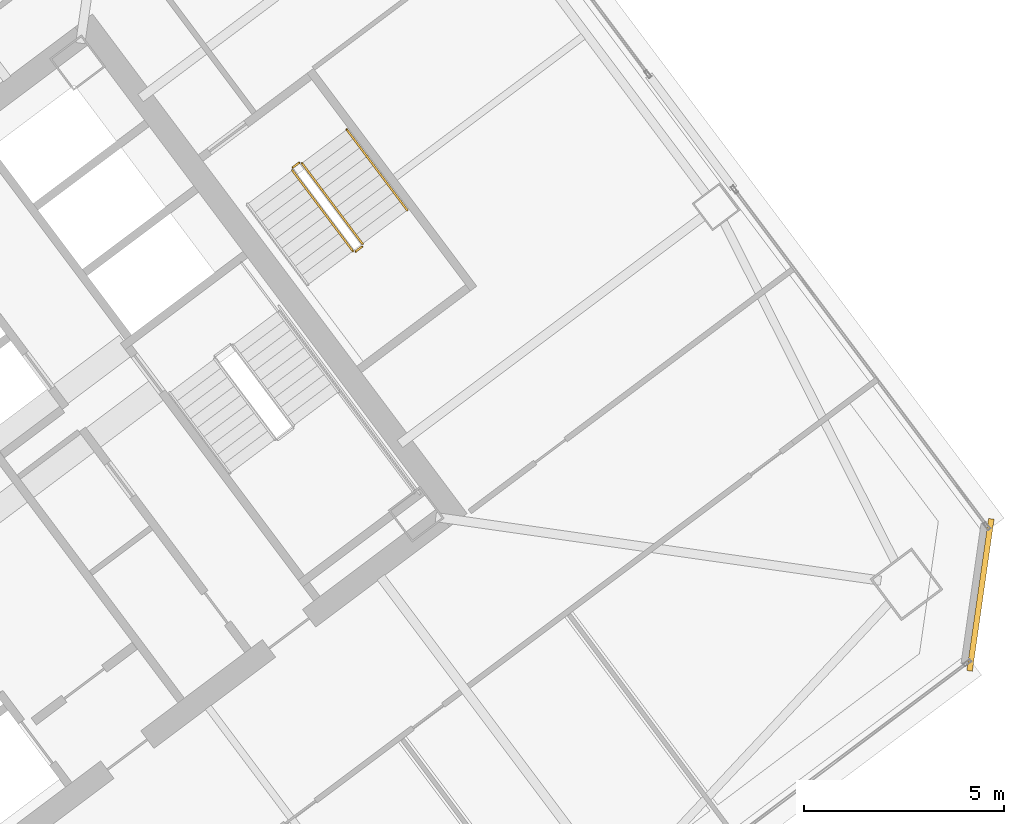
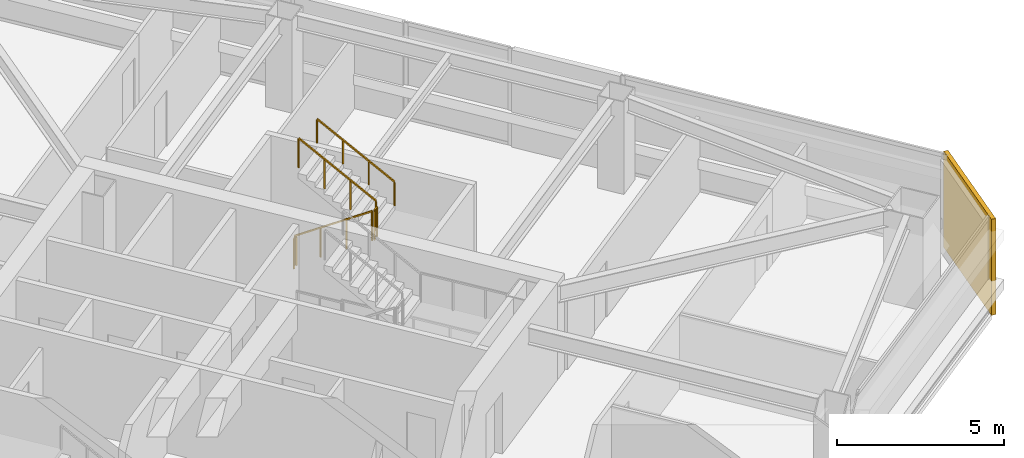
# One storey, part 41 of 42: 5 railings, 1 covering.
"""IFC4 building model written with IfcOpenShell, lengths in metres."""

from ifc_helpers import new_model, si_unit, direction, frame, origin, origin_2d, place, context, subcontext, project, spatial, rectangle, extrude, material, layer, layer_set, type_object, element, save


model = new_model("IFC4")

# Units and contexts
model_context = context("Model", 3, precision=1e-05, world=origin(), true_north=direction((0.0, 1.0)))
body_context = subcontext(model_context, "Body", "Model", "MODEL_VIEW")
ifc_project = project(units=[si_unit("LENGTHUNIT", "METRE"), si_unit("AREAUNIT", "SQUARE_METRE"), si_unit("VOLUMEUNIT", "CUBIC_METRE"), si_unit("PLANEANGLEUNIT", "RADIAN"), si_unit("MASSUNIT", "GRAM", prefix="KILO")], contexts=[model_context])

# Site, building, storey
site_placement = place(None, origin())
site = spatial("IfcSite", under=ifc_project, at=site_placement, CompositionType="ELEMENT")
building_placement = place(site_placement, origin())
building = spatial("IfcBuilding", under=site, at=building_placement, Name="Tashvorn Skyway Center", CompositionType="ELEMENT")
storey_placement = place(building_placement, frame((0.0, 0.0, 121.5)))
storey = spatial("IfcBuildingStorey", under=building, at=storey_placement, Name="L32", CompositionType="ELEMENT", Elevation=121.5)

# Covering
ifc_material_1 = material(Name="Precast concrete C40/50", Category="concrete")
ifc_layer = layer(ifc_material_1, 0.35009765625)
ifc_layer_set = layer_set([ifc_layer], Name="Precast concrete C40/50")
covering_type = type_object("IfcCoveringType", Name="COV-STONE-TRIM", PredefinedType="CLADDING", material=ifc_layer_set)
covering_placement = place(storey_placement, frame((137.968017578125, 28.575927734375, 0.02001953125), z_axis=(0.0, 0.0, 1.0), x_axis=(0.141421350118, 0.989949494535, 0.0)))
element("IfcCovering", 1, at=covering_placement, inside=storey, type_object=covering_type, Name="Tower 2 L32 SE Mojave Limestone Corner Quoin", PredefinedType="CLADDING", context=body_context, shape_type="SweptSolid", body=[
    extrude(rectangle(XDim=3.8369140625, YDim=0.139892578125, at=origin_2d()), origin(), (0.0, 0.0, 1.0), 3.510009765625),
])

# Railings
ifc_material_2 = material(Name="Brushed stainless steel 316", Category="steel")
railing_type_1 = type_object("IfcRailingType", Name="RAIL-HAND-920", PredefinedType="HANDRAIL", material=ifc_material_2)
railing_1_placement = place(storey_placement, frame((123.64794921875, 38.18603515625, 1.952392578125)))
element("IfcRailing", 2, at=railing_1_placement, inside=storey, type_object=railing_type_1, Name="L32 ST-T2-3 stair handrail 2", PredefinedType="HANDRAIL", context=body_context, shape_type="SweptSolid", body=[
    extrude(rectangle(XDim=0.048095703125, YDim=0.048095703125, at=origin_2d()), frame((0.0, 0.0, 0.8759765625), z_axis=(-0.50674661542, 0.675634878657, 0.535467439255), x_axis=(-0.79998837352, -0.60001550166, 0.0)), (0.0, 0.0, 1.0), 2.983642578125),
    extrude(rectangle(XDim=0.0419921875, YDim=0.0419921875, at=origin_2d()), origin(), (0.0, 0.0, 1.0), 0.851806640625),
    extrude(rectangle(XDim=0.0419921875, YDim=0.0419921875, at=origin_2d()), frame((-0.50390625, 0.671875, 0.532470703125)), (0.0, 0.0, 1.0), 0.851806640625),
    extrude(rectangle(XDim=0.0419921875, YDim=0.0419921875, at=origin_2d()), frame((-1.008056640625, 1.343994140625, 1.065185546875)), (0.0, 0.0, 1.0), 0.851806640625),
    extrude(rectangle(XDim=0.0419921875, YDim=0.0419921875, at=origin_2d()), frame((-1.511962890625, 2.015869140625, 1.59765625)), (0.0, 0.0, 1.0), 0.851806640625),
])
ifc_material_3 = material(Name="Painted galvanized steel S355", Category="steel")
railing_type_2 = type_object("IfcRailingType", Name="RAIL-STGUARD-1100", PredefinedType="GUARDRAIL", material=ifc_material_3)
railing_2_placement = place(storey_placement, frame((120.77587890625, 39.181884765625, 0.177490234375)))
element("IfcRailing", 3, at=railing_2_placement, inside=storey, type_object=railing_type_2, Name="L32 ST-T2-3 stair guard 1", PredefinedType="GUARDRAIL", context=body_context, shape_type="SweptSolid", body=[
    extrude(rectangle(XDim=0.048095703125, YDim=0.048095703125, at=origin_2d()), frame((0.0, 0.0, 1.076171875), z_axis=(0.506829628838, -0.67563646195, 0.535386868177), x_axis=(0.799941867976, 0.600077501544, 0.0)), (0.0, 0.0, 1.0), 2.983642578125),
    extrude(rectangle(XDim=0.0419921875, YDim=0.0419921875, at=origin_2d()), origin(), (0.0, 0.0, 1.0), 1.052001953125),
    extrude(rectangle(XDim=0.0419921875, YDim=0.0419921875, at=origin_2d()), frame((0.504150390625, -0.671875, 0.532470703125)), (0.0, 0.0, 1.0), 1.052001953125),
    extrude(rectangle(XDim=0.0419921875, YDim=0.0419921875, at=origin_2d()), frame((1.008056640625, -1.343994140625, 1.06494140625)), (0.0, 0.0, 1.0), 1.052001953125),
    extrude(rectangle(XDim=0.0419921875, YDim=0.0419921875, at=origin_2d()), frame((1.51220703125, -2.015869140625, 1.597412109375)), (0.0, 0.0, 1.0), 1.052001953125),
])
railing_3_placement = place(storey_placement, frame((122.35791015625, 37.156005859375, 1.77490234375)))
element("IfcRailing", 4, at=railing_3_placement, inside=storey, type_object=railing_type_2, Name="L32 ST-T2-3 stair guard 2", PredefinedType="GUARDRAIL", context=body_context, shape_type="SweptSolid", body=[
    extrude(rectangle(XDim=0.048095703125, YDim=0.048095703125, at=origin_2d()), frame((0.0, 0.0, 1.076171875), z_axis=(0.800585412921, 0.599218655098, 0.0), x_axis=(-0.599218655098, 0.800585412921, 0.0)), (0.0, 0.0, 1.0), 0.199951171875),
    extrude(rectangle(XDim=0.0419921875, YDim=0.0419921875, at=origin_2d()), origin(), (0.0, 0.0, 1.0), 1.052001953125),
    extrude(rectangle(XDim=0.0419921875, YDim=0.0419921875, at=origin_2d()), frame((0.16015625, 0.119873046875, 0.0)), (0.0, 0.0, 1.0), 1.052001953125),
])
railing_4_placement = place(storey_placement, frame((122.528076171875, 37.345947265625, 1.952392578125)))
element("IfcRailing", 5, at=railing_4_placement, inside=storey, type_object=railing_type_2, Name="L32 ST-T2-3 stair guard 3", PredefinedType="GUARDRAIL", context=body_context, shape_type="SweptSolid", body=[
    extrude(rectangle(XDim=0.048095703125, YDim=0.048095703125, at=origin_2d()), frame((0.0, 0.0, 1.076171875), z_axis=(-0.506718600913, 0.675679348675, 0.535437836974), x_axis=(-0.800023250257, -0.599968998406, 0.0)), (0.0, 0.0, 1.0), 2.98388671875),
    extrude(rectangle(XDim=0.0419921875, YDim=0.0419921875, at=origin_2d()), origin(), (0.0, 0.0, 1.0), 1.052001953125),
    extrude(rectangle(XDim=0.0419921875, YDim=0.0419921875, at=origin_2d()), frame((-0.50390625, 0.672119140625, 0.532470703125)), (0.0, 0.0, 1.0), 1.052001953125),
    extrude(rectangle(XDim=0.0419921875, YDim=0.0419921875, at=origin_2d()), frame((-1.008056640625, 1.343994140625, 1.065185546875)), (0.0, 0.0, 1.0), 1.052001953125),
    extrude(rectangle(XDim=0.0419921875, YDim=0.0419921875, at=origin_2d()), frame((-1.511962890625, 2.01611328125, 1.59765625)), (0.0, 0.0, 1.0), 1.052001953125),
])
railing_5_placement = place(storey_placement, frame((120.785888671875, 39.251953125, 0.0)))
element("IfcRailing", 6, at=railing_5_placement, inside=storey, type_object=railing_type_2, Name="L32 ST-T2-3 stair guard 4", PredefinedType="GUARDRAIL", context=body_context, shape_type="SweptSolid", body=[
    extrude(rectangle(XDim=0.048095703125, YDim=0.048095703125, at=origin_2d()), frame((0.0, 0.0, 1.076171875), z_axis=(0.8, 0.6, 0.0), x_axis=(-0.6, 0.8, 0.0)), (0.0, 0.0, 1.0), 0.2001953125),
    extrude(rectangle(XDim=0.0419921875, YDim=0.0419921875, at=origin_2d()), origin(), (0.0, 0.0, 1.0), 1.052001953125),
    extrude(rectangle(XDim=0.0419921875, YDim=0.0419921875, at=origin_2d()), frame((0.16015625, 0.1201171875, 0.0)), (0.0, 0.0, 1.0), 1.052001953125),
])

save(model, "model.ifc")
